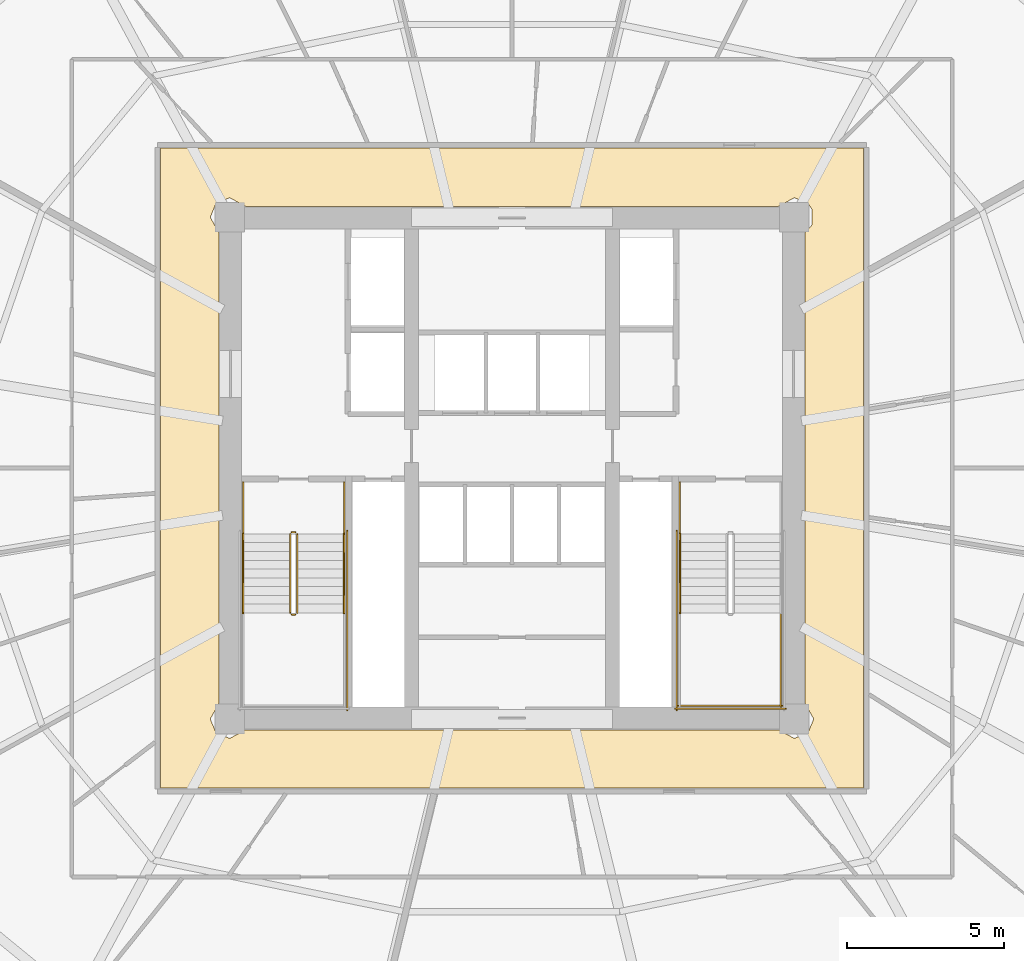
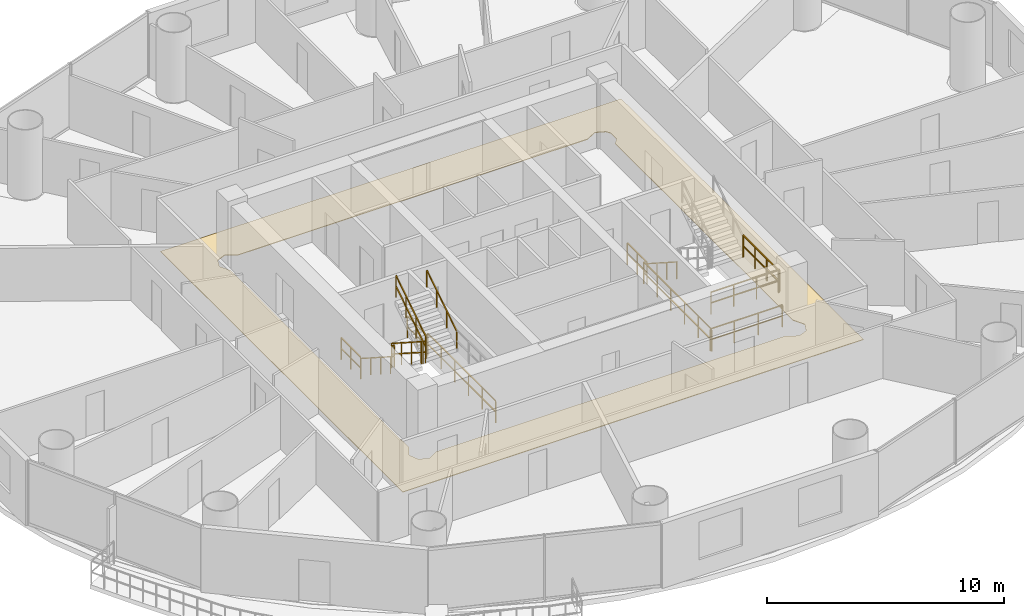
# One storey, part 27 of 29: 15 railings, 1 covering.
"""IFC4 building model written with IfcOpenShell, lengths in metres."""

from ifc_helpers import new_model, si_unit, direction, frame, origin, origin_2d, place, context, subcontext, project, spatial, polyline, rectangle, outline, extrude, material, layer, layer_set, type_object, element, save


model = new_model("IFC4")

# Units and contexts
model_context = context("Model", 3, precision=1e-05, world=origin(), true_north=direction((-0.2419218956, 0.970295726276)))
body_context = subcontext(model_context, "Body", "Model", "MODEL_VIEW")
ifc_project = project(units=[si_unit("LENGTHUNIT", "METRE"), si_unit("AREAUNIT", "SQUARE_METRE"), si_unit("VOLUMEUNIT", "CUBIC_METRE"), si_unit("PLANEANGLEUNIT", "RADIAN"), si_unit("MASSUNIT", "GRAM", prefix="KILO")], contexts=[model_context])

# Site, building, storey
site_placement = place(None, origin())
site = spatial("IfcSite", under=ifc_project, at=site_placement, CompositionType="ELEMENT")
building_placement = place(site_placement, origin())
building = spatial("IfcBuilding", under=site, at=building_placement, Name="Cobrevalo Terracotta Tower", CompositionType="ELEMENT")
storey_placement = place(building_placement, frame((0.0, 0.0, 94.199951171875)))
storey = spatial("IfcBuildingStorey", under=building, at=storey_placement, Name="L24", CompositionType="ELEMENT", Elevation=94.199951171875)

# Covering
ifc_material_1 = material(Name="Honed terracotta and granite tile", Category="masonry")
ifc_layer = layer(ifc_material_1, 0.034912109375)
ifc_layer_set = layer_set([ifc_layer], Name="Honed terracotta and granite tile")
covering_type = type_object("IfcCoveringType", Name="Honed Terracotta & Granite Interior Flooring 35", PredefinedType="FLOORING", material=ifc_layer_set)
covering_placement = place(storey_placement, origin())
element("IfcCovering", 1, at=covering_placement, inside=storey, type_object=covering_type, Name="L24 Residential Floor Corridor floor finish", PredefinedType="FLOORING", context=body_context, shape_type="SweptSolid", body=[
    extrude(outline(polyline([(49.205078125, 37.0048828125), (49.205078125, 16.594970703125), (26.794921875, 16.594970703125), (26.794921875, 37.0048828125), (49.205078125, 37.0048828125)]), holes=[polyline([(47.344970703125, 34.298828125), (47.5732421875, 34.5625), (47.5732421875, 35.037353515625), (47.438720703125, 35.23876953125), (47.0, 35.42041015625), (46.498779296875, 35.14501953125), (29.501220703125, 35.14501953125), (29.0, 35.42041015625), (28.561279296875, 35.23876953125), (28.379638671875, 34.800048828125), (28.655029296875, 34.298828125), (28.655029296875, 19.30126953125), (28.379638671875, 18.800048828125), (28.561279296875, 18.361328125), (29.0, 18.1796875), (29.501220703125, 18.455078125), (46.498779296875, 18.455078125), (47.0, 18.1796875), (47.438720703125, 18.361328125), (47.620361328125, 18.800048828125), (47.344970703125, 19.30126953125), (47.344970703125, 34.298828125)])]), origin(), (0.0, 0.0, 1.0), 0.030029296875),
])

# Railings
ifc_material_2 = material(Name="Brushed stainless steel", Category="steel")
railing_type_1 = type_object("IfcRailingType", Name="Stainless Steel Stair Handrail 900", PredefinedType="HANDRAIL", material=ifc_material_2)
railing_1_placement = place(storey_placement, frame((29.425048828125, 24.699951171875, 0.179931640625)))
element("IfcRailing", 2, at=railing_1_placement, inside=storey, type_object=railing_type_1, Name="L24 ST-1 stair handrail 1", PredefinedType="HANDRAIL", context=body_context, shape_type="SweptSolid", body=[
    extrude(rectangle(XDim=0.048095703125, YDim=0.048095703125, at=origin_2d()), frame((0.0, 0.0, 0.8759765625), z_axis=(0.0, -0.841162588446, 0.540782303519), x_axis=(1.0, 0.0, 0.0)), (0.0, 0.0, 1.0), 2.995849609375),
    extrude(rectangle(XDim=0.0419921875, YDim=0.0419921875, at=origin_2d()), origin(), (0.0, 0.0, 1.0), 0.851806640625),
    extrude(rectangle(XDim=0.0419921875, YDim=0.0419921875, at=origin_2d()), frame((0.0, -0.840087890625, 0.5400390625)), (0.0, 0.0, 1.0), 0.851806640625),
    extrude(rectangle(XDim=0.0419921875, YDim=0.0419921875, at=origin_2d()), frame((0.0, -1.679931640625, 1.080078125)), (0.0, 0.0, 1.0), 0.851806640625),
    extrude(rectangle(XDim=0.0419921875, YDim=0.0419921875, at=origin_2d()), frame((0.0, -2.52001953125, 1.6201171875)), (0.0, 0.0, 1.0), 0.851806640625),
])
railing_2_placement = place(storey_placement, frame((32.64501953125, 22.179931640625, 1.97998046875)))
element("IfcRailing", 3, at=railing_2_placement, inside=storey, type_object=railing_type_1, Name="L24 ST-1 stair handrail 2", PredefinedType="HANDRAIL", context=body_context, shape_type="SweptSolid", body=[
    extrude(rectangle(XDim=0.048095703125, YDim=0.048095703125, at=origin_2d()), frame((0.0, 0.0, 0.8759765625), z_axis=(0.0, 0.841162588446, 0.540782303519), x_axis=(-1.0, 0.0, 0.0)), (0.0, 0.0, 1.0), 2.995849609375),
    extrude(rectangle(XDim=0.0419921875, YDim=0.0419921875, at=origin_2d()), origin(), (0.0, 0.0, 1.0), 0.851806640625),
    extrude(rectangle(XDim=0.0419921875, YDim=0.0419921875, at=origin_2d()), frame((0.0, 0.840087890625, 0.5400390625)), (0.0, 0.0, 1.0), 0.851806640625),
    extrude(rectangle(XDim=0.0419921875, YDim=0.0419921875, at=origin_2d()), frame((0.0, 1.679931640625, 1.080078125)), (0.0, 0.0, 1.0), 0.851806640625),
    extrude(rectangle(XDim=0.0419921875, YDim=0.0419921875, at=origin_2d()), frame((0.0, 2.52001953125, 1.6201171875)), (0.0, 0.0, 1.0), 0.851806640625),
])
railing_3_placement = place(storey_placement, frame((43.35498046875, 24.699951171875, 0.179931640625)))
element("IfcRailing", 4, at=railing_3_placement, inside=storey, type_object=railing_type_1, Name="L24 ST-2 stair handrail 1", PredefinedType="HANDRAIL", context=body_context, shape_type="SweptSolid", body=[
    extrude(rectangle(XDim=0.048095703125, YDim=0.048095703125, at=origin_2d()), frame((0.0, 0.0, 0.8759765625), z_axis=(0.0, -0.841162588446, 0.540782303519), x_axis=(1.0, 0.0, 0.0)), (0.0, 0.0, 1.0), 2.995849609375),
    extrude(rectangle(XDim=0.0419921875, YDim=0.0419921875, at=origin_2d()), origin(), (0.0, 0.0, 1.0), 0.851806640625),
    extrude(rectangle(XDim=0.0419921875, YDim=0.0419921875, at=origin_2d()), frame((0.0, -0.840087890625, 0.5400390625)), (0.0, 0.0, 1.0), 0.851806640625),
    extrude(rectangle(XDim=0.0419921875, YDim=0.0419921875, at=origin_2d()), frame((0.0, -1.679931640625, 1.080078125)), (0.0, 0.0, 1.0), 0.851806640625),
    extrude(rectangle(XDim=0.0419921875, YDim=0.0419921875, at=origin_2d()), frame((0.0, -2.52001953125, 1.6201171875)), (0.0, 0.0, 1.0), 0.851806640625),
])
ifc_material_3 = material(Name="Painted galvanized steel", Category="steel")
railing_type_2 = type_object("IfcRailingType", Name="Stair Well Guard Balustrade 1150", PredefinedType="GUARDRAIL", material=ifc_material_3)
railing_4_placement = place(storey_placement, frame((30.925048828125, 24.699951171875, 0.179931640625)))
element("IfcRailing", 5, at=railing_4_placement, inside=storey, type_object=railing_type_2, Name="L24 ST-1 stair guard 1", PredefinedType="GUARDRAIL", context=body_context, shape_type="SweptSolid", body=[
    extrude(rectangle(XDim=0.048095703125, YDim=0.048095703125, at=origin_2d()), frame((0.0, 0.0, 1.1259765625), z_axis=(0.0, -0.841162588446, 0.540782303519), x_axis=(1.0, 0.0, 0.0)), (0.0, 0.0, 1.0), 2.995849609375),
    extrude(rectangle(XDim=0.048095703125, YDim=0.048095703125, at=origin_2d()), frame((0.0, 0.0, 0.574951171875), z_axis=(0.0, -0.841162588446, 0.540782303519), x_axis=(1.0, 0.0, 0.0)), (0.0, 0.0, 1.0), 2.995849609375),
    extrude(rectangle(XDim=0.0419921875, YDim=0.0419921875, at=origin_2d()), origin(), (0.0, 0.0, 1.0), 1.101806640625),
    extrude(rectangle(XDim=0.0419921875, YDim=0.0419921875, at=origin_2d()), frame((0.0, -0.840087890625, 0.5400390625)), (0.0, 0.0, 1.0), 1.101806640625),
    extrude(rectangle(XDim=0.0419921875, YDim=0.0419921875, at=origin_2d()), frame((0.0, -1.679931640625, 1.080078125)), (0.0, 0.0, 1.0), 1.101806640625),
    extrude(rectangle(XDim=0.0419921875, YDim=0.0419921875, at=origin_2d()), frame((0.0, -2.52001953125, 1.6201171875)), (0.0, 0.0, 1.0), 1.101806640625),
])
railing_5_placement = place(storey_placement, frame((30.97509765625, 22.1298828125, 1.800048828125)))
element("IfcRailing", 6, at=railing_5_placement, inside=storey, type_object=railing_type_2, Name="L24 ST-1 stair guard 2", PredefinedType="GUARDRAIL", context=body_context, shape_type="SweptSolid", body=[
    extrude(rectangle(XDim=0.048095703125, YDim=0.048095703125, at=origin_2d()), frame((0.0, 0.0, 1.1259765625), z_axis=(1.0, 0.0, 0.0), x_axis=(0.0, 1.0, 0.0)), (0.0, 0.0, 1.0), 0.119873046875),
    extrude(rectangle(XDim=0.048095703125, YDim=0.048095703125, at=origin_2d()), frame((0.0, 0.0, 0.574951171875), z_axis=(1.0, 0.0, 0.0), x_axis=(0.0, 1.0, 0.0)), (0.0, 0.0, 1.0), 0.119873046875),
    extrude(rectangle(XDim=0.0419921875, YDim=0.0419921875, at=origin_2d()), origin(), (0.0, 0.0, 1.0), 1.101806640625),
    extrude(rectangle(XDim=0.0419921875, YDim=0.0419921875, at=origin_2d()), frame((0.119873046875, 0.0, 0.0)), (0.0, 0.0, 1.0), 1.101806640625),
])
railing_6_placement = place(storey_placement, frame((31.14501953125, 22.179931640625, 1.97998046875)))
element("IfcRailing", 7, at=railing_6_placement, inside=storey, type_object=railing_type_2, Name="L24 ST-1 stair guard 6", PredefinedType="GUARDRAIL", context=body_context, shape_type="SweptSolid", body=[
    extrude(rectangle(XDim=0.048095703125, YDim=0.048095703125, at=origin_2d()), frame((0.0, 0.0, 1.1259765625), z_axis=(0.0, 0.841162588446, 0.540782303519), x_axis=(-1.0, 0.0, 0.0)), (0.0, 0.0, 1.0), 2.995849609375),
    extrude(rectangle(XDim=0.048095703125, YDim=0.048095703125, at=origin_2d()), frame((0.0, 0.0, 0.574951171875), z_axis=(0.0, 0.841162588446, 0.540782303519), x_axis=(-1.0, 0.0, 0.0)), (0.0, 0.0, 1.0), 2.995849609375),
    extrude(rectangle(XDim=0.0419921875, YDim=0.0419921875, at=origin_2d()), origin(), (0.0, 0.0, 1.0), 1.101806640625),
    extrude(rectangle(XDim=0.0419921875, YDim=0.0419921875, at=origin_2d()), frame((0.0, 0.840087890625, 0.5400390625)), (0.0, 0.0, 1.0), 1.101806640625),
    extrude(rectangle(XDim=0.0419921875, YDim=0.0419921875, at=origin_2d()), frame((0.0, 1.679931640625, 1.080078125)), (0.0, 0.0, 1.0), 1.101806640625),
    extrude(rectangle(XDim=0.0419921875, YDim=0.0419921875, at=origin_2d()), frame((0.0, 2.52001953125, 1.6201171875)), (0.0, 0.0, 1.0), 1.101806640625),
])
railing_7_placement = place(storey_placement, frame((30.97509765625, 24.75, 0.0)))
element("IfcRailing", 8, at=railing_7_placement, inside=storey, type_object=railing_type_2, Name="L24 ST-1 stair guard 7", PredefinedType="GUARDRAIL", context=body_context, shape_type="SweptSolid", body=[
    extrude(rectangle(XDim=0.048095703125, YDim=0.048095703125, at=origin_2d()), frame((0.0, 0.0, 1.1259765625), z_axis=(1.0, 0.0, 0.0), x_axis=(0.0, 1.0, 0.0)), (0.0, 0.0, 1.0), 0.119873046875),
    extrude(rectangle(XDim=0.048095703125, YDim=0.048095703125, at=origin_2d()), frame((0.0, 0.0, 0.574951171875), z_axis=(1.0, 0.0, 0.0), x_axis=(0.0, 1.0, 0.0)), (0.0, 0.0, 1.0), 0.119873046875),
    extrude(rectangle(XDim=0.0419921875, YDim=0.0419921875, at=origin_2d()), origin(), (0.0, 0.0, 1.0), 1.101806640625),
    extrude(rectangle(XDim=0.0419921875, YDim=0.0419921875, at=origin_2d()), frame((0.119873046875, 0.0, 0.0)), (0.0, 0.0, 1.0), 1.101806640625),
])
for number, where, name in (
    (9, (29.425048828125, 26.35009765625, 0.0), "L24 ST-1 stair guard 8"),
    (10, (32.64501953125, 26.35009765625, 0.0), "L24 ST-1 stair guard 9"),
):
    element("IfcRailing", number, at=place(storey_placement, frame(where)), inside=storey, type_object=railing_type_2, Name=name, PredefinedType="GUARDRAIL", context=body_context, shape_type="SweptSolid", body=[
        extrude(rectangle(XDim=0.048095703125, YDim=0.048095703125, at=origin_2d()), frame((0.0, 0.0, 1.1259765625), z_axis=(0.0, -1.0, 0.0), x_axis=(1.0, 0.0, 0.0)), (0.0, 0.0, 1.0), 1.650146484375),
        extrude(rectangle(XDim=0.048095703125, YDim=0.048095703125, at=origin_2d()), frame((0.0, 0.0, 0.574951171875), z_axis=(0.0, -1.0, 0.0), x_axis=(1.0, 0.0, 0.0)), (0.0, 0.0, 1.0), 1.650146484375),
        extrude(rectangle(XDim=0.0419921875, YDim=0.0419921875, at=origin_2d()), origin(), (0.0, 0.0, 1.0), 1.101806640625),
        extrude(rectangle(XDim=0.0419921875, YDim=0.0419921875, at=origin_2d()), frame((0.0, -0.8251953125, 0.0)), (0.0, 0.0, 1.0), 1.101806640625),
        extrude(rectangle(XDim=0.0419921875, YDim=0.0419921875, at=origin_2d()), frame((0.0, -1.650146484375, 0.0)), (0.0, 0.0, 1.0), 1.101806640625),
    ])
railing_8_placement = place(storey_placement, frame((32.7451171875, 24.800048828125, 0.0)))
element("IfcRailing", 11, at=railing_8_placement, inside=storey, type_object=railing_type_2, Name="L24 ST-1 stair guard 11", PredefinedType="GUARDRAIL", context=body_context, shape_type="SweptSolid", body=[
    extrude(rectangle(XDim=0.048095703125, YDim=0.048095703125, at=origin_2d()), frame((0.0, 0.0, 1.1259765625), z_axis=(0.0, -1.0, 0.0), x_axis=(1.0, 0.0, 0.0)), (0.0, 0.0, 1.0), 5.72509765625),
    extrude(rectangle(XDim=0.048095703125, YDim=0.048095703125, at=origin_2d()), frame((0.0, 0.0, 0.574951171875), z_axis=(0.0, -1.0, 0.0), x_axis=(1.0, 0.0, 0.0)), (0.0, 0.0, 1.0), 5.72509765625),
    extrude(rectangle(XDim=0.0419921875, YDim=0.0419921875, at=origin_2d()), origin(), (0.0, 0.0, 1.0), 1.101806640625),
    extrude(rectangle(XDim=0.0419921875, YDim=0.0419921875, at=origin_2d()), frame((0.0, -1.14501953125, 0.0)), (0.0, 0.0, 1.0), 1.101806640625),
    extrude(rectangle(XDim=0.0419921875, YDim=0.0419921875, at=origin_2d()), frame((0.0, -2.2900390625, 0.0)), (0.0, 0.0, 1.0), 1.101806640625),
    extrude(rectangle(XDim=0.0419921875, YDim=0.0419921875, at=origin_2d()), frame((0.0, -3.43505859375, 0.0)), (0.0, 0.0, 1.0), 1.101806640625),
    extrude(rectangle(XDim=0.0419921875, YDim=0.0419921875, at=origin_2d()), frame((0.0, -4.580078125, 0.0)), (0.0, 0.0, 1.0), 1.101806640625),
    extrude(rectangle(XDim=0.0419921875, YDim=0.0419921875, at=origin_2d()), frame((0.0, -5.72509765625, 0.0)), (0.0, 0.0, 1.0), 1.101806640625),
])
railing_9_placement = place(storey_placement, frame((46.574951171875, 22.179931640625, 1.800048828125)))
element("IfcRailing", 12, at=railing_9_placement, inside=storey, type_object=railing_type_2, Name="L24 ST-2 stair guard 4", PredefinedType="GUARDRAIL", context=body_context, shape_type="SweptSolid", body=[
    extrude(rectangle(XDim=0.048095703125, YDim=0.048095703125, at=origin_2d()), frame((0.0, 0.0, 1.1259765625), z_axis=(0.0, -1.0, 0.0), x_axis=(1.0, 0.0, 0.0)), (0.0, 0.0, 1.0), 3.0048828125),
    extrude(rectangle(XDim=0.048095703125, YDim=0.048095703125, at=origin_2d()), frame((0.0, 0.0, 0.574951171875), z_axis=(0.0, -1.0, 0.0), x_axis=(1.0, 0.0, 0.0)), (0.0, 0.0, 1.0), 3.0048828125),
    extrude(rectangle(XDim=0.0419921875, YDim=0.0419921875, at=origin_2d()), origin(), (0.0, 0.0, 1.0), 1.101806640625),
    extrude(rectangle(XDim=0.0419921875, YDim=0.0419921875, at=origin_2d()), frame((0.0, -1.001708984375, 0.0)), (0.0, 0.0, 1.0), 1.101806640625),
    extrude(rectangle(XDim=0.0419921875, YDim=0.0419921875, at=origin_2d()), frame((0.0, -2.003173828125, 0.0)), (0.0, 0.0, 1.0), 1.101806640625),
    extrude(rectangle(XDim=0.0419921875, YDim=0.0419921875, at=origin_2d()), frame((0.0, -3.0048828125, 0.0)), (0.0, 0.0, 1.0), 1.101806640625),
])
railing_10_placement = place(storey_placement, frame((43.304931640625, 19.22509765625, 1.800048828125)))
element("IfcRailing", 13, at=railing_10_placement, inside=storey, type_object=railing_type_2, Name="L24 ST-2 stair guard 5", PredefinedType="GUARDRAIL", context=body_context, shape_type="SweptSolid", body=[
    extrude(rectangle(XDim=0.048095703125, YDim=0.048095703125, at=origin_2d()), frame((0.0, 0.0, 1.1259765625), z_axis=(1.0, 0.0, 0.0), x_axis=(0.0, 1.0, 0.0)), (0.0, 0.0, 1.0), 3.320068359375),
    extrude(rectangle(XDim=0.048095703125, YDim=0.048095703125, at=origin_2d()), frame((0.0, 0.0, 0.574951171875), z_axis=(1.0, 0.0, 0.0), x_axis=(0.0, 1.0, 0.0)), (0.0, 0.0, 1.0), 3.320068359375),
    extrude(rectangle(XDim=0.0419921875, YDim=0.0419921875, at=origin_2d()), origin(), (0.0, 0.0, 1.0), 1.101806640625),
    extrude(rectangle(XDim=0.0419921875, YDim=0.0419921875, at=origin_2d()), frame((1.106689453125, 0.0, 0.0)), (0.0, 0.0, 1.0), 1.101806640625),
    extrude(rectangle(XDim=0.0419921875, YDim=0.0419921875, at=origin_2d()), frame((2.21337890625, 0.0, 0.0)), (0.0, 0.0, 1.0), 1.101806640625),
    extrude(rectangle(XDim=0.0419921875, YDim=0.0419921875, at=origin_2d()), frame((3.320068359375, 0.0, 0.0)), (0.0, 0.0, 1.0), 1.101806640625),
])
railing_11_placement = place(storey_placement, frame((43.35498046875, 26.35009765625, 0.0)))
element("IfcRailing", 14, at=railing_11_placement, inside=storey, type_object=railing_type_2, Name="L24 ST-2 stair guard 8", PredefinedType="GUARDRAIL", context=body_context, shape_type="SweptSolid", body=[
    extrude(rectangle(XDim=0.048095703125, YDim=0.048095703125, at=origin_2d()), frame((0.0, 0.0, 1.1259765625), z_axis=(0.0, -1.0, 0.0), x_axis=(1.0, 0.0, 0.0)), (0.0, 0.0, 1.0), 1.650146484375),
    extrude(rectangle(XDim=0.048095703125, YDim=0.048095703125, at=origin_2d()), frame((0.0, 0.0, 0.574951171875), z_axis=(0.0, -1.0, 0.0), x_axis=(1.0, 0.0, 0.0)), (0.0, 0.0, 1.0), 1.650146484375),
    extrude(rectangle(XDim=0.0419921875, YDim=0.0419921875, at=origin_2d()), origin(), (0.0, 0.0, 1.0), 1.101806640625),
    extrude(rectangle(XDim=0.0419921875, YDim=0.0419921875, at=origin_2d()), frame((0.0, -0.8251953125, 0.0)), (0.0, 0.0, 1.0), 1.101806640625),
    extrude(rectangle(XDim=0.0419921875, YDim=0.0419921875, at=origin_2d()), frame((0.0, -1.650146484375, 0.0)), (0.0, 0.0, 1.0), 1.101806640625),
])
railing_12_placement = place(storey_placement, frame((43.2548828125, 24.800048828125, 0.0)))
element("IfcRailing", 15, at=railing_12_placement, inside=storey, type_object=railing_type_2, Name="L24 ST-2 stair guard 10", PredefinedType="GUARDRAIL", context=body_context, shape_type="SweptSolid", body=[
    extrude(rectangle(XDim=0.048095703125, YDim=0.048095703125, at=origin_2d()), frame((0.0, 0.0, 1.1259765625), z_axis=(0.0, -1.0, 0.0), x_axis=(1.0, 0.0, 0.0)), (0.0, 0.0, 1.0), 5.72509765625),
    extrude(rectangle(XDim=0.048095703125, YDim=0.048095703125, at=origin_2d()), frame((0.0, 0.0, 0.574951171875), z_axis=(0.0, -1.0, 0.0), x_axis=(1.0, 0.0, 0.0)), (0.0, 0.0, 1.0), 5.72509765625),
    extrude(rectangle(XDim=0.0419921875, YDim=0.0419921875, at=origin_2d()), origin(), (0.0, 0.0, 1.0), 1.101806640625),
    extrude(rectangle(XDim=0.0419921875, YDim=0.0419921875, at=origin_2d()), frame((0.0, -1.14501953125, 0.0)), (0.0, 0.0, 1.0), 1.101806640625),
    extrude(rectangle(XDim=0.0419921875, YDim=0.0419921875, at=origin_2d()), frame((0.0, -2.2900390625, 0.0)), (0.0, 0.0, 1.0), 1.101806640625),
    extrude(rectangle(XDim=0.0419921875, YDim=0.0419921875, at=origin_2d()), frame((0.0, -3.43505859375, 0.0)), (0.0, 0.0, 1.0), 1.101806640625),
    extrude(rectangle(XDim=0.0419921875, YDim=0.0419921875, at=origin_2d()), frame((0.0, -4.580078125, 0.0)), (0.0, 0.0, 1.0), 1.101806640625),
    extrude(rectangle(XDim=0.0419921875, YDim=0.0419921875, at=origin_2d()), frame((0.0, -5.72509765625, 0.0)), (0.0, 0.0, 1.0), 1.101806640625),
])
railing_13_placement = place(storey_placement, frame((43.205078125, 19.125, 0.0)))
element("IfcRailing", 16, at=railing_13_placement, inside=storey, type_object=railing_type_2, Name="L24 ST-2 stair guard 12", PredefinedType="GUARDRAIL", context=body_context, shape_type="SweptSolid", body=[
    extrude(rectangle(XDim=0.048095703125, YDim=0.048095703125, at=origin_2d()), frame((0.0, 0.0, 1.1259765625), z_axis=(1.0, 0.0, 0.0), x_axis=(0.0, 1.0, 0.0)), (0.0, 0.0, 1.0), 3.52001953125),
    extrude(rectangle(XDim=0.048095703125, YDim=0.048095703125, at=origin_2d()), frame((0.0, 0.0, 0.574951171875), z_axis=(1.0, 0.0, 0.0), x_axis=(0.0, 1.0, 0.0)), (0.0, 0.0, 1.0), 3.52001953125),
    extrude(rectangle(XDim=0.0419921875, YDim=0.0419921875, at=origin_2d()), origin(), (0.0, 0.0, 1.0), 1.101806640625),
    extrude(rectangle(XDim=0.0419921875, YDim=0.0419921875, at=origin_2d()), frame((1.17333984375, 0.0, 0.0)), (0.0, 0.0, 1.0), 1.101806640625),
    extrude(rectangle(XDim=0.0419921875, YDim=0.0419921875, at=origin_2d()), frame((2.3466796875, 0.0, 0.0)), (0.0, 0.0, 1.0), 1.101806640625),
    extrude(rectangle(XDim=0.0419921875, YDim=0.0419921875, at=origin_2d()), frame((3.52001953125, 0.0, 0.0)), (0.0, 0.0, 1.0), 1.101806640625),
])

save(model, "model.ifc")
